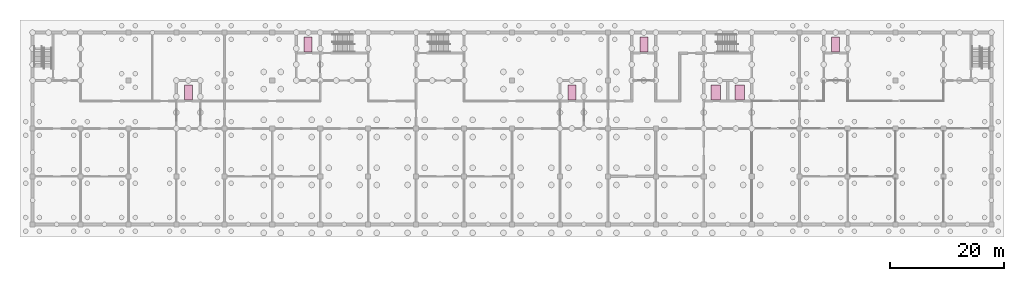
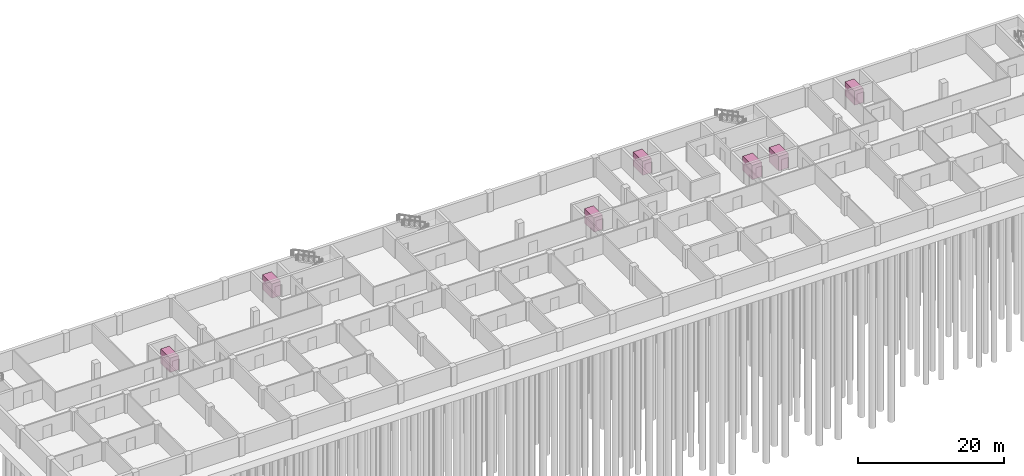
# One storey, part 11 of 11: 7 transport elements.
"""IFC4 building model written with IfcOpenShell, lengths in metres."""

from ifc_helpers import new_model, si_unit, direction, frame, origin, origin_2d, place, context, subcontext, project, spatial, rectangle, extrude, material, type_object, element, save


model = new_model("IFC4")

# Units and contexts
model_context = context("Model", 3, precision=1e-05, world=origin(), true_north=direction((0.0, 1.0)))
body_context = subcontext(model_context, "Body", "Model", "MODEL_VIEW")
ifc_project = project(units=[si_unit("LENGTHUNIT", "METRE"), si_unit("AREAUNIT", "SQUARE_METRE"), si_unit("VOLUMEUNIT", "CUBIC_METRE"), si_unit("PLANEANGLEUNIT", "RADIAN"), si_unit("MASSUNIT", "GRAM", prefix="KILO")], contexts=[model_context])

# Site, building, storey
site_placement = place(None, origin())
site = spatial("IfcSite", under=ifc_project, at=site_placement, CompositionType="ELEMENT")
building_placement = place(site_placement, origin())
building = spatial("IfcBuilding", under=site, at=building_placement, Name="Yavir Park General Hospital", CompositionType="ELEMENT")
storey_placement = place(building_placement, frame((0.0, 0.0, -15.0)))
storey = spatial("IfcBuildingStorey", under=building, at=storey_placement, Name="B4", CompositionType="ELEMENT", Elevation=-15.0)

# Transport elements
ifc_material_1 = material(Name="Stainless steel", Category="steel")
transport_element_type_1 = type_object("IfcTransportElementType", Name="Lift car 1400 x 2600 mm, 2500 kg", PredefinedType="ELEVATOR", material=ifc_material_1)
for number, where, z_axis, x_axis, name in (
    (1, (27.300048828125, 23.10009765625, 0.0), (0.0, 0.0, 1.0), (1.0, 0.0, 0.0), "Lift FL1"),
    (2, (48.300048828125, 31.5, 0.0), (0.0, 0.0, 1.0), (1.0, 0.0, 0.0), "Lift FL2"),
    (3, (94.5, 23.10009765625, 0.0), (0.0, 0.0, 1.0), (1.0, 0.0, 0.0), "Lift FL3"),
    (4, (107.10009765625, 31.5, 0.0), (0.0, 0.0, 1.0), (1.0, 0.0, 0.0), "Lift FL4"),
    (5, (140.699951171875, 31.5, 0.0), (0.0, 0.0, 1.0), (1.0, 0.0, 0.0), "Lift FL5"),
):
    element("IfcTransportElement", number, at=place(storey_placement, frame(where, z_axis=z_axis, x_axis=x_axis)), inside=storey, type_object=transport_element_type_1, Name=name, PredefinedType="ELEVATOR", context=body_context, shape_type="SweptSolid", body=[
        extrude(rectangle(XDim=1.39990234375, YDim=2.60009765625, at=origin_2d()), origin(), (0.0, 0.0, 1.0), 2.39990234375),
    ])
ifc_material_2 = material(Name="Stainless steel", Category="steel")
transport_element_type_2 = type_object("IfcTransportElementType", Name="Lift car 1600 x 2600 mm, 2000 kg", PredefinedType="ELEVATOR", material=ifc_material_2)
for number, where, z_axis, x_axis, name in (
    (6, (119.699951171875, 23.10009765625, 0.0), (0.0, 0.0, 1.0), (1.0, 0.0, 0.0), "Lift SL1"),
    (7, (123.89990234375, 23.10009765625, 0.0), (0.0, 0.0, 1.0), (1.0, 0.0, 0.0), "Lift SL2"),
):
    element("IfcTransportElement", number, at=place(storey_placement, frame(where, z_axis=z_axis, x_axis=x_axis)), inside=storey, type_object=transport_element_type_2, Name=name, PredefinedType="ELEVATOR", context=body_context, shape_type="SweptSolid", body=[
        extrude(rectangle(XDim=1.60009765625, YDim=2.60009765625, at=origin_2d()), origin(), (0.0, 0.0, 1.0), 2.39990234375),
    ])

save(model, "model.ifc")
